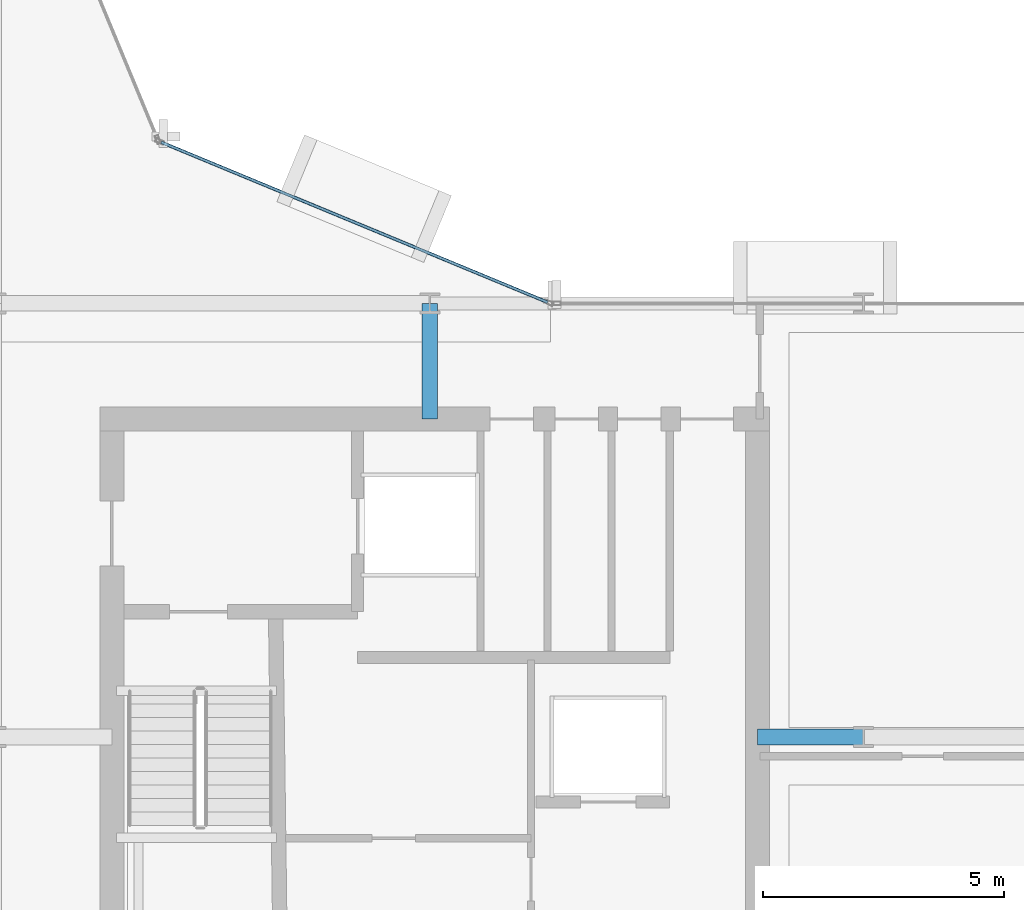
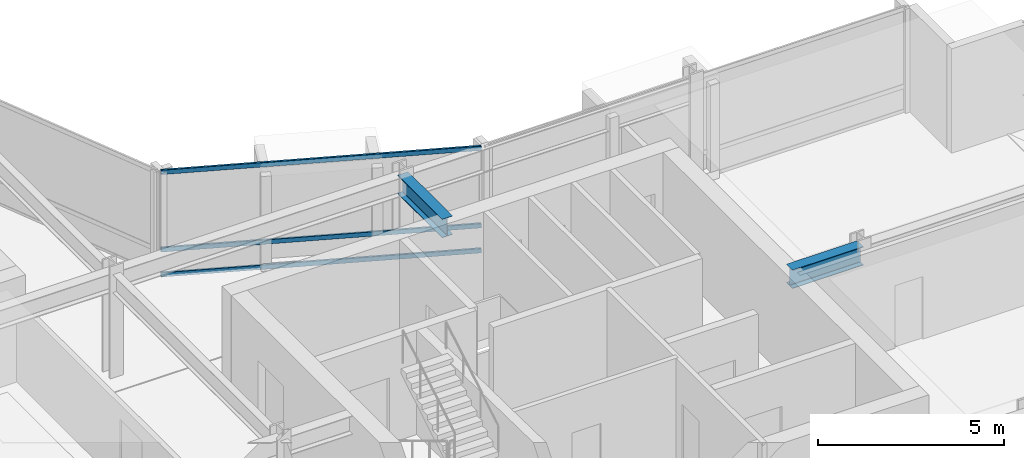
# One storey, part 12 of 28: 3 members, 2 beams, 1 element without a shape of its own.
"""IFC4 building model written with IfcOpenShell, lengths in metres."""

from ifc_helpers import new_model, si_unit, direction, frame, origin, origin_2d, place, context, subcontext, project, spatial, hollow_rectangle, i_section, extrude, material, layer, layer_set, material_profile, profile_set, type_object, element, aggregate, save


model = new_model("IFC4")

# Units and contexts
model_context = context("Model", 3, precision=1e-05, world=origin(), true_north=direction((0.0, 1.0)))
body_context = subcontext(model_context, "Body", "Model", "MODEL_VIEW")
ifc_project = project(units=[si_unit("LENGTHUNIT", "METRE"), si_unit("AREAUNIT", "SQUARE_METRE"), si_unit("VOLUMEUNIT", "CUBIC_METRE"), si_unit("PLANEANGLEUNIT", "RADIAN"), si_unit("MASSUNIT", "GRAM", prefix="KILO")], contexts=[model_context])

# Site, building, storey
site_placement = place(None, origin())
site = spatial("IfcSite", under=ifc_project, at=site_placement, CompositionType="ELEMENT")
building_placement = place(site_placement, origin())
building = spatial("IfcBuilding", under=site, at=building_placement, Name="Solvaryn Broadcast Tower", CompositionType="ELEMENT")
storey_placement = place(building_placement, frame((0.0, 0.0, 150.699951171875)))
storey = spatial("IfcBuildingStorey", under=building, at=storey_placement, Name="L37", CompositionType="ELEMENT", Elevation=150.699951171875)

# Beams
ifc_material_1 = material(Name="Steel ASTM A992 Grade 50", Category="steel")
ifc_material_profile_1 = material_profile(ifc_material_1, i_section(OverallWidth=0.323974609375, OverallDepth=0.611083984375, WebThickness=0.0126953125, FlangeThickness=0.01904296875, FilletRadius=0.014892578125, at=origin_2d()))
ifc_profile_set_1 = profile_set([ifc_material_profile_1], Name="Steel ASTM A992 Grade 50")
beam_type = type_object("IfcBeamType", Name="BM-B1-W24X104", PredefinedType="BEAM", material=ifc_profile_set_1)
beam_1_placement = place(storey_placement, frame((36.0, 24.60009765625, 3.114501953125), z_axis=(0.0, 1.0, 0.0), x_axis=(-1.0, 0.0, 0.0)))
element("IfcBeam", 1, at=beam_1_placement, inside=storey, type_object=beam_type, Name="L37 Core Tie Beam CTE2", PredefinedType="BEAM", context=body_context, shape_type="SweptSolid", body=[
    extrude(i_section(OverallWidth=0.323974609375, OverallDepth=0.611083984375, WebThickness=0.0126953125, FlangeThickness=0.01904296875, FilletRadius=0.014892578125, at=origin_2d()), origin(), (0.0, 0.0, 1.0), 2.39990234375),
])
beam_2_placement = place(storey_placement, frame((42.800048828125, 18.0, 3.114501953125), z_axis=(1.0, 0.0, 0.0), x_axis=(0.0, 1.0, 0.0)))
element("IfcBeam", 2, at=beam_2_placement, inside=storey, type_object=beam_type, Name="L37 Core Tie Beam CTE3", PredefinedType="BEAM", context=body_context, shape_type="SweptSolid", body=[
    extrude(i_section(OverallWidth=0.323974609375, OverallDepth=0.611083984375, WebThickness=0.0126953125, FlangeThickness=0.01904296875, FilletRadius=0.014892578125, at=origin_2d()), origin(), (0.0, 0.0, 1.0), 2.199951171875),
])

# Curtain wall, members
ifc_material_2 = material(Name="Aluminium and Terracotta Unitised Curtain Wall", Category="masonry")
ifc_layer = layer(ifc_material_2, 0.199951171875)
ifc_layer_set = layer_set([ifc_layer], Name="CW-SYS2-LOWMID")
curtain_wall_type = type_object("IfcCurtainWallType", Name="CW-SYS2-LOWMID", PredefinedType="NOTDEFINED", material=ifc_layer_set)
curtain_wall_placement = place(storey_placement, origin())
curtain_wall = element("IfcCurtainWall", 3, at=curtain_wall_placement, inside=storey, type_object=curtain_wall_type, Name="L37 Curtain Wall CN1", PredefinedType="NOTDEFINED")
ifc_material_3 = material(Name="Anodised Aluminium 6063-T6", Category="aluminium")
ifc_material_profile_2 = material_profile(ifc_material_3, hollow_rectangle(XDim=0.06494140625, YDim=0.14990234375, WallThickness=0.00390625, InnerFilletRadius=0.00390625, OuterFilletRadius=0.008056640625, at=origin_2d()))
ifc_profile_set_2 = profile_set([ifc_material_profile_2], Name="Anodised Aluminium 6063-T6")
member_type = type_object("IfcMemberType", Name="CW-TRN-150", PredefinedType="USERDEFINED", material=ifc_profile_set_2)
member_1_placement = place(storey_placement, frame((38.444580078125, 27.02294921875, 0.030029296875), z_axis=(-0.923899282177, 0.382635748975, 0.0), x_axis=(-0.382635748975, -0.923899282177, 0.0)))
member_1 = element("IfcMember", 4, at=member_1_placement, type_object=member_type, Name="CWS2 transom 1.1", ObjectType="TRANSOM", PredefinedType="USERDEFINED", context=body_context, shape_type="SweptSolid", body=[
    extrude(hollow_rectangle(XDim=0.06494140625, YDim=0.14990234375, WallThickness=0.00390625, InnerFilletRadius=0.00390625, OuterFilletRadius=0.008056640625, at=origin_2d()), origin(), (0.0, 0.0, 1.0), 8.681884765625),
])
member_2_placement = place(storey_placement, frame((38.444580078125, 27.02294921875, 0.85009765625), z_axis=(-0.923899282177, 0.382635748975, 0.0), x_axis=(-0.382635748975, -0.923899282177, 0.0)))
member_2 = element("IfcMember", 5, at=member_2_placement, type_object=member_type, Name="CWS2 transom 1.2", ObjectType="TRANSOM", PredefinedType="USERDEFINED", context=body_context, shape_type="SweptSolid", body=[
    extrude(hollow_rectangle(XDim=0.06494140625, YDim=0.14990234375, WallThickness=0.00390625, InnerFilletRadius=0.00390625, OuterFilletRadius=0.008056640625, at=origin_2d()), origin(), (0.0, 0.0, 1.0), 8.681884765625),
])
member_3_placement = place(storey_placement, frame((38.444580078125, 27.02294921875, 3.39013671875), z_axis=(-0.923899282177, 0.382635748975, 0.0), x_axis=(-0.382635748975, -0.923899282177, 0.0)))
member_3 = element("IfcMember", 6, at=member_3_placement, type_object=member_type, Name="CWS2 transom 1.3", ObjectType="TRANSOM", PredefinedType="USERDEFINED", context=body_context, shape_type="SweptSolid", body=[
    extrude(hollow_rectangle(XDim=0.06494140625, YDim=0.14990234375, WallThickness=0.00390625, InnerFilletRadius=0.00390625, OuterFilletRadius=0.008056640625, at=origin_2d()), origin(), (0.0, 0.0, 1.0), 8.681884765625),
])
aggregate(curtain_wall, [member_1, member_2, member_3])

save(model, "model.ifc")
